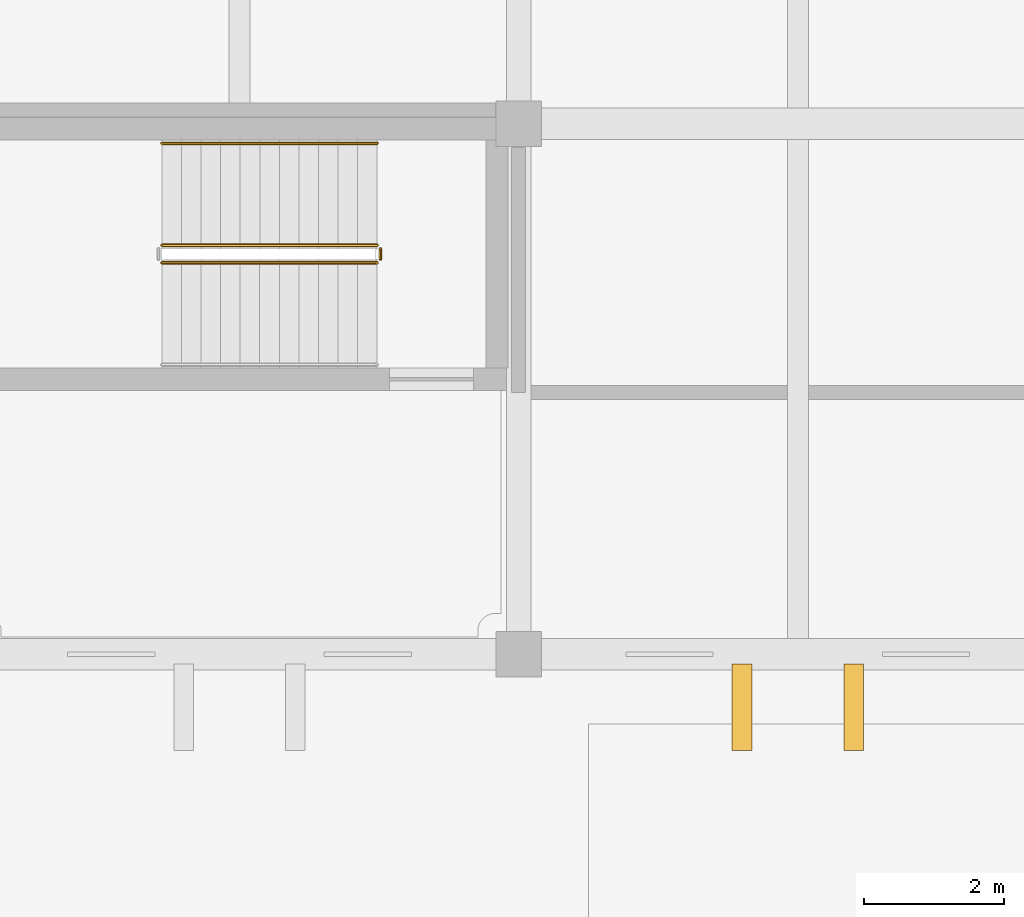
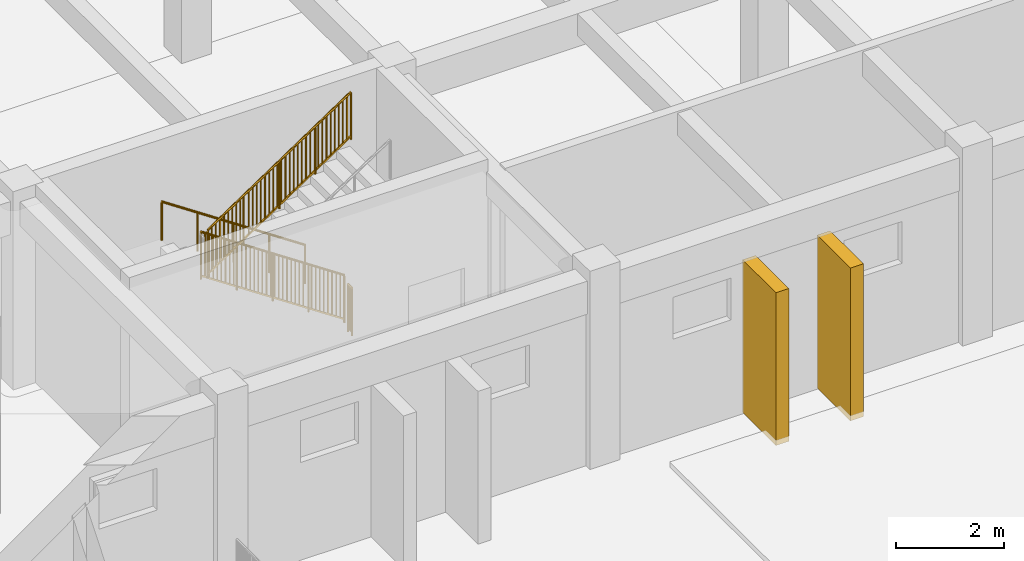
# One storey, part 77 of 79: 4 railings, 2 shading devices.
"""IFC4 building model written with IfcOpenShell, lengths in metres."""

from ifc_helpers import new_model, si_unit, direction, frame, origin, origin_2d, place, context, subcontext, project, spatial, rectangle, circle, extrude, material, type_object, element, save


model = new_model("IFC4")

# Units and contexts
model_context = context("Model", 3, precision=1e-05, world=origin(), true_north=direction((0.0, 1.0)))
body_context = subcontext(model_context, "Body", "Model", "MODEL_VIEW")
ifc_project = project(units=[si_unit("LENGTHUNIT", "METRE"), si_unit("AREAUNIT", "SQUARE_METRE"), si_unit("VOLUMEUNIT", "CUBIC_METRE"), si_unit("PLANEANGLEUNIT", "RADIAN"), si_unit("MASSUNIT", "GRAM", prefix="KILO")], contexts=[model_context])

# Site, building, storey
site_placement = place(None, origin())
site = spatial("IfcSite", under=ifc_project, at=site_placement, CompositionType="ELEMENT")
building_placement = place(site_placement, origin())
building = spatial("IfcBuilding", under=site, at=building_placement, Name="Zantavel Square City Hall", CompositionType="ELEMENT")
storey_placement = place(building_placement, frame((0.0, 0.0, 10.199951171875)))
storey = spatial("IfcBuildingStorey", under=building, at=storey_placement, Name="L03", CompositionType="ELEMENT", Elevation=10.199951171875)

# Railings
ifc_material_1 = material(Name="Steel ASTM A500 Grade B", Category="steel")
railing_type_1 = type_object("IfcRailingType", Name="Atrium & Gallery Steel Guard Railing 1100mm", PredefinedType="GUARDRAIL", material=ifc_material_1)
railing_1_placement = place(storey_placement, frame((117.969970703125, 81.860107421875, 0.1875)))
element("IfcRailing", 1, at=railing_1_placement, inside=storey, type_object=railing_type_1, Name="L03 ST2 stair guard 1", PredefinedType="GUARDRAIL", context=body_context, shape_type="SweptSolid", body=[
    extrude(circle(Radius=0.02392578125, at=origin_2d()), frame((0.0, 0.0, 1.076171875), z_axis=(-0.830913701846, 0.0, 0.55640131208), x_axis=(0.0, -1.0, 0.0)), (0.0, 0.0, 1.0), 3.706787109375),
    extrude(rectangle(XDim=0.031982421875, YDim=0.031982421875, at=origin_2d()), frame((0.0, 0.0, 0.080078125), z_axis=(-0.830913701846, 0.0, 0.55640131208), x_axis=(0.0, -1.0, 0.0)), (0.0, 0.0, 1.0), 3.706787109375),
    extrude(rectangle(XDim=0.02197265625, YDim=0.02197265625, at=origin_2d()), frame((-0.087890625, 0.0, 0.138916015625)), (0.0, 0.0, 1.0), 0.971923828125),
    extrude(rectangle(XDim=0.02197265625, YDim=0.02197265625, at=origin_2d()), frame((-0.176025390625, 0.0, 0.19775390625)), (0.0, 0.0, 1.0), 0.971923828125),
    extrude(rectangle(XDim=0.02197265625, YDim=0.02197265625, at=origin_2d()), frame((-0.263916015625, 0.0, 0.2568359375)), (0.0, 0.0, 1.0), 0.971923828125),
    extrude(rectangle(XDim=0.02197265625, YDim=0.02197265625, at=origin_2d()), frame((-0.35205078125, 0.0, 0.315673828125)), (0.0, 0.0, 1.0), 0.971923828125),
    extrude(rectangle(XDim=0.02197265625, YDim=0.02197265625, at=origin_2d()), frame((-0.43994140625, 0.0, 0.374755859375)), (0.0, 0.0, 1.0), 0.971923828125),
    extrude(rectangle(XDim=0.02197265625, YDim=0.02197265625, at=origin_2d()), frame((-0.528076171875, 0.0, 0.43359375)), (0.0, 0.0, 1.0), 0.971923828125),
    extrude(rectangle(XDim=0.02197265625, YDim=0.02197265625, at=origin_2d()), frame((-0.615966796875, 0.0, 0.492431640625)), (0.0, 0.0, 1.0), 0.971923828125),
    extrude(rectangle(XDim=0.02197265625, YDim=0.02197265625, at=origin_2d()), frame((-0.7041015625, 0.0, 0.551513671875)), (0.0, 0.0, 1.0), 0.971923828125),
    extrude(rectangle(XDim=0.02197265625, YDim=0.02197265625, at=origin_2d()), frame((-0.880126953125, 0.0, 0.669189453125)), (0.0, 0.0, 1.0), 0.971923828125),
    extrude(rectangle(XDim=0.02197265625, YDim=0.02197265625, at=origin_2d()), frame((-0.968017578125, 0.0, 0.728271484375)), (0.0, 0.0, 1.0), 0.971923828125),
    extrude(rectangle(XDim=0.02197265625, YDim=0.02197265625, at=origin_2d()), frame((-1.055908203125, 0.0, 0.787109375)), (0.0, 0.0, 1.0), 0.971923828125),
    extrude(rectangle(XDim=0.02197265625, YDim=0.02197265625, at=origin_2d()), frame((-1.14404296875, 0.0, 0.84619140625)), (0.0, 0.0, 1.0), 0.971923828125),
    extrude(rectangle(XDim=0.02197265625, YDim=0.02197265625, at=origin_2d()), frame((-1.23193359375, 0.0, 0.905029296875)), (0.0, 0.0, 1.0), 0.971923828125),
    extrude(rectangle(XDim=0.02197265625, YDim=0.02197265625, at=origin_2d()), frame((-1.320068359375, 0.0, 0.9638671875)), (0.0, 0.0, 1.0), 0.971923828125),
    extrude(rectangle(XDim=0.02197265625, YDim=0.02197265625, at=origin_2d()), frame((-1.407958984375, 0.0, 1.02294921875)), (0.0, 0.0, 1.0), 0.971923828125),
    extrude(rectangle(XDim=0.02197265625, YDim=0.02197265625, at=origin_2d()), frame((-1.49609375, 0.0, 1.081787109375)), (0.0, 0.0, 1.0), 0.971923828125),
    extrude(rectangle(XDim=0.02197265625, YDim=0.02197265625, at=origin_2d()), frame((-1.583984375, 0.0, 1.140625)), (0.0, 0.0, 1.0), 0.971923828125),
    extrude(rectangle(XDim=0.02197265625, YDim=0.02197265625, at=origin_2d()), frame((-1.672119140625, 0.0, 1.19970703125)), (0.0, 0.0, 1.0), 0.971923828125),
    extrude(rectangle(XDim=0.02197265625, YDim=0.02197265625, at=origin_2d()), frame((-1.760009765625, 0.0, 1.258544921875)), (0.0, 0.0, 1.0), 0.971923828125),
    extrude(rectangle(XDim=0.02197265625, YDim=0.02197265625, at=origin_2d()), frame((-1.84814453125, 0.0, 1.3173828125)), (0.0, 0.0, 1.0), 0.971923828125),
    extrude(rectangle(XDim=0.02197265625, YDim=0.02197265625, at=origin_2d()), frame((-1.93603515625, 0.0, 1.37646484375)), (0.0, 0.0, 1.0), 0.971923828125),
    extrude(rectangle(XDim=0.02197265625, YDim=0.02197265625, at=origin_2d()), frame((-2.024169921875, 0.0, 1.435302734375)), (0.0, 0.0, 1.0), 0.971923828125),
    extrude(rectangle(XDim=0.02197265625, YDim=0.02197265625, at=origin_2d()), frame((-2.112060546875, 0.0, 1.494384765625)), (0.0, 0.0, 1.0), 0.971923828125),
    extrude(rectangle(XDim=0.02197265625, YDim=0.02197265625, at=origin_2d()), frame((-2.199951171875, 0.0, 1.55322265625)), (0.0, 0.0, 1.0), 0.971923828125),
    extrude(rectangle(XDim=0.02197265625, YDim=0.02197265625, at=origin_2d()), frame((-2.3759765625, 0.0, 1.671142578125)), (0.0, 0.0, 1.0), 0.971923828125),
    extrude(rectangle(XDim=0.02197265625, YDim=0.02197265625, at=origin_2d()), frame((-2.464111328125, 0.0, 1.72998046875)), (0.0, 0.0, 1.0), 0.971923828125),
    extrude(rectangle(XDim=0.02197265625, YDim=0.02197265625, at=origin_2d()), frame((-2.552001953125, 0.0, 1.788818359375)), (0.0, 0.0, 1.0), 0.971923828125),
    extrude(rectangle(XDim=0.02197265625, YDim=0.02197265625, at=origin_2d()), frame((-2.64013671875, 0.0, 1.847900390625)), (0.0, 0.0, 1.0), 0.971923828125),
    extrude(rectangle(XDim=0.02197265625, YDim=0.02197265625, at=origin_2d()), frame((-2.72802734375, 0.0, 1.90673828125)), (0.0, 0.0, 1.0), 0.971923828125),
    extrude(rectangle(XDim=0.02197265625, YDim=0.02197265625, at=origin_2d()), frame((-2.816162109375, 0.0, 1.9658203125)), (0.0, 0.0, 1.0), 0.971923828125),
    extrude(rectangle(XDim=0.02197265625, YDim=0.02197265625, at=origin_2d()), frame((-2.904052734375, 0.0, 2.024658203125)), (0.0, 0.0, 1.0), 0.971923828125),
    extrude(rectangle(XDim=0.02197265625, YDim=0.02197265625, at=origin_2d()), frame((-2.9921875, 0.0, 2.08349609375)), (0.0, 0.0, 1.0), 0.971923828125),
    extrude(circle(Radius=0.02099609375, at=origin_2d()), origin(), (0.0, 0.0, 1.0), 1.052001953125),
    extrude(circle(Radius=0.02099609375, at=origin_2d()), frame((-0.77001953125, 0.0, 0.515625)), (0.0, 0.0, 1.0), 1.052001953125),
    extrude(circle(Radius=0.02099609375, at=origin_2d()), frame((-1.5400390625, 0.0, 1.03125)), (0.0, 0.0, 1.0), 1.052001953125),
    extrude(circle(Radius=0.02099609375, at=origin_2d()), frame((-2.31005859375, 0.0, 1.546875)), (0.0, 0.0, 1.0), 1.052001953125),
    extrude(circle(Radius=0.02099609375, at=origin_2d()), frame((-3.080078125, 0.0, 2.0625)), (0.0, 0.0, 1.0), 1.052001953125),
])
railing_2_placement = place(storey_placement, frame((114.889892578125, 81.610107421875, 2.4375)))
element("IfcRailing", 2, at=railing_2_placement, inside=storey, type_object=railing_type_1, Name="L03 ST2 stair guard 3", PredefinedType="GUARDRAIL", context=body_context, shape_type="SweptSolid", body=[
    extrude(circle(Radius=0.02392578125, at=origin_2d()), frame((0.0, 0.0, 1.076171875), z_axis=(0.830913701846, 0.0, 0.55640131208), x_axis=(0.0, 1.0, 0.0)), (0.0, 0.0, 1.0), 3.706787109375),
    extrude(rectangle(XDim=0.031982421875, YDim=0.031982421875, at=origin_2d()), frame((0.0, 0.0, 0.080078125), z_axis=(0.830913701846, 0.0, 0.55640131208), x_axis=(0.0, 1.0, 0.0)), (0.0, 0.0, 1.0), 3.706787109375),
    extrude(rectangle(XDim=0.02197265625, YDim=0.02197265625, at=origin_2d()), frame((0.087890625, 0.0, 0.138916015625)), (0.0, 0.0, 1.0), 0.971923828125),
    extrude(rectangle(XDim=0.02197265625, YDim=0.02197265625, at=origin_2d()), frame((0.176025390625, 0.0, 0.19775390625)), (0.0, 0.0, 1.0), 0.971923828125),
    extrude(rectangle(XDim=0.02197265625, YDim=0.02197265625, at=origin_2d()), frame((0.263916015625, 0.0, 0.2568359375)), (0.0, 0.0, 1.0), 0.971923828125),
    extrude(rectangle(XDim=0.02197265625, YDim=0.02197265625, at=origin_2d()), frame((0.35205078125, 0.0, 0.315673828125)), (0.0, 0.0, 1.0), 0.971923828125),
    extrude(rectangle(XDim=0.02197265625, YDim=0.02197265625, at=origin_2d()), frame((0.43994140625, 0.0, 0.374755859375)), (0.0, 0.0, 1.0), 0.971923828125),
    extrude(rectangle(XDim=0.02197265625, YDim=0.02197265625, at=origin_2d()), frame((0.528076171875, 0.0, 0.43359375)), (0.0, 0.0, 1.0), 0.971923828125),
    extrude(rectangle(XDim=0.02197265625, YDim=0.02197265625, at=origin_2d()), frame((0.615966796875, 0.0, 0.492431640625)), (0.0, 0.0, 1.0), 0.971923828125),
    extrude(rectangle(XDim=0.02197265625, YDim=0.02197265625, at=origin_2d()), frame((0.7041015625, 0.0, 0.551513671875)), (0.0, 0.0, 1.0), 0.971923828125),
    extrude(rectangle(XDim=0.02197265625, YDim=0.02197265625, at=origin_2d()), frame((0.880126953125, 0.0, 0.669189453125)), (0.0, 0.0, 1.0), 0.971923828125),
    extrude(rectangle(XDim=0.02197265625, YDim=0.02197265625, at=origin_2d()), frame((0.968017578125, 0.0, 0.728271484375)), (0.0, 0.0, 1.0), 0.971923828125),
    extrude(rectangle(XDim=0.02197265625, YDim=0.02197265625, at=origin_2d()), frame((1.055908203125, 0.0, 0.787109375)), (0.0, 0.0, 1.0), 0.971923828125),
    extrude(rectangle(XDim=0.02197265625, YDim=0.02197265625, at=origin_2d()), frame((1.14404296875, 0.0, 0.84619140625)), (0.0, 0.0, 1.0), 0.971923828125),
    extrude(rectangle(XDim=0.02197265625, YDim=0.02197265625, at=origin_2d()), frame((1.23193359375, 0.0, 0.905029296875)), (0.0, 0.0, 1.0), 0.971923828125),
    extrude(rectangle(XDim=0.02197265625, YDim=0.02197265625, at=origin_2d()), frame((1.320068359375, 0.0, 0.9638671875)), (0.0, 0.0, 1.0), 0.971923828125),
    extrude(rectangle(XDim=0.02197265625, YDim=0.02197265625, at=origin_2d()), frame((1.407958984375, 0.0, 1.02294921875)), (0.0, 0.0, 1.0), 0.971923828125),
    extrude(rectangle(XDim=0.02197265625, YDim=0.02197265625, at=origin_2d()), frame((1.49609375, 0.0, 1.081787109375)), (0.0, 0.0, 1.0), 0.971923828125),
    extrude(rectangle(XDim=0.02197265625, YDim=0.02197265625, at=origin_2d()), frame((1.583984375, 0.0, 1.140625)), (0.0, 0.0, 1.0), 0.971923828125),
    extrude(rectangle(XDim=0.02197265625, YDim=0.02197265625, at=origin_2d()), frame((1.672119140625, 0.0, 1.19970703125)), (0.0, 0.0, 1.0), 0.971923828125),
    extrude(rectangle(XDim=0.02197265625, YDim=0.02197265625, at=origin_2d()), frame((1.760009765625, 0.0, 1.258544921875)), (0.0, 0.0, 1.0), 0.971923828125),
    extrude(rectangle(XDim=0.02197265625, YDim=0.02197265625, at=origin_2d()), frame((1.84814453125, 0.0, 1.3173828125)), (0.0, 0.0, 1.0), 0.971923828125),
    extrude(rectangle(XDim=0.02197265625, YDim=0.02197265625, at=origin_2d()), frame((1.93603515625, 0.0, 1.37646484375)), (0.0, 0.0, 1.0), 0.971923828125),
    extrude(rectangle(XDim=0.02197265625, YDim=0.02197265625, at=origin_2d()), frame((2.024169921875, 0.0, 1.435302734375)), (0.0, 0.0, 1.0), 0.971923828125),
    extrude(rectangle(XDim=0.02197265625, YDim=0.02197265625, at=origin_2d()), frame((2.112060546875, 0.0, 1.494384765625)), (0.0, 0.0, 1.0), 0.971923828125),
    extrude(rectangle(XDim=0.02197265625, YDim=0.02197265625, at=origin_2d()), frame((2.199951171875, 0.0, 1.55322265625)), (0.0, 0.0, 1.0), 0.971923828125),
    extrude(rectangle(XDim=0.02197265625, YDim=0.02197265625, at=origin_2d()), frame((2.3759765625, 0.0, 1.671142578125)), (0.0, 0.0, 1.0), 0.971923828125),
    extrude(rectangle(XDim=0.02197265625, YDim=0.02197265625, at=origin_2d()), frame((2.464111328125, 0.0, 1.72998046875)), (0.0, 0.0, 1.0), 0.971923828125),
    extrude(rectangle(XDim=0.02197265625, YDim=0.02197265625, at=origin_2d()), frame((2.552001953125, 0.0, 1.788818359375)), (0.0, 0.0, 1.0), 0.971923828125),
    extrude(rectangle(XDim=0.02197265625, YDim=0.02197265625, at=origin_2d()), frame((2.64013671875, 0.0, 1.847900390625)), (0.0, 0.0, 1.0), 0.971923828125),
    extrude(rectangle(XDim=0.02197265625, YDim=0.02197265625, at=origin_2d()), frame((2.72802734375, 0.0, 1.90673828125)), (0.0, 0.0, 1.0), 0.971923828125),
    extrude(rectangle(XDim=0.02197265625, YDim=0.02197265625, at=origin_2d()), frame((2.816162109375, 0.0, 1.9658203125)), (0.0, 0.0, 1.0), 0.971923828125),
    extrude(rectangle(XDim=0.02197265625, YDim=0.02197265625, at=origin_2d()), frame((2.904052734375, 0.0, 2.024658203125)), (0.0, 0.0, 1.0), 0.971923828125),
    extrude(rectangle(XDim=0.02197265625, YDim=0.02197265625, at=origin_2d()), frame((2.9921875, 0.0, 2.08349609375)), (0.0, 0.0, 1.0), 0.971923828125),
    extrude(circle(Radius=0.02099609375, at=origin_2d()), origin(), (0.0, 0.0, 1.0), 1.052001953125),
    extrude(circle(Radius=0.02099609375, at=origin_2d()), frame((0.77001953125, 0.0, 0.515625)), (0.0, 0.0, 1.0), 1.052001953125),
    extrude(circle(Radius=0.02099609375, at=origin_2d()), frame((1.5400390625, 0.0, 1.03125)), (0.0, 0.0, 1.0), 1.052001953125),
    extrude(circle(Radius=0.02099609375, at=origin_2d()), frame((2.31005859375, 0.0, 1.546875)), (0.0, 0.0, 1.0), 1.052001953125),
    extrude(circle(Radius=0.02099609375, at=origin_2d()), frame((3.080078125, 0.0, 2.0625)), (0.0, 0.0, 1.0), 1.052001953125),
])
railing_3_placement = place(storey_placement, frame((118.02001953125, 81.81005859375, 0.0)))
element("IfcRailing", 3, at=railing_3_placement, inside=storey, type_object=railing_type_1, Name="L03 ST2 stair guard 4", PredefinedType="GUARDRAIL", context=body_context, shape_type="SweptSolid", body=[
    extrude(circle(Radius=0.02392578125, at=origin_2d()), frame((0.0, 0.0, 1.076171875), z_axis=(0.0, -1.0, 0.0), x_axis=(1.0, 0.0, 0.0)), (0.0, 0.0, 1.0), 0.150146484375),
    extrude(rectangle(XDim=0.031982421875, YDim=0.031982421875, at=origin_2d()), frame((0.0, 0.0, 0.080078125), z_axis=(0.0, -1.0, 0.0), x_axis=(1.0, 0.0, 0.0)), (0.0, 0.0, 1.0), 0.150146484375),
    extrude(rectangle(XDim=0.02197265625, YDim=0.02197265625, at=origin_2d()), frame((0.0, -0.0751953125, 0.080078125)), (0.0, 0.0, 1.0), 0.971923828125),
    extrude(circle(Radius=0.02099609375, at=origin_2d()), origin(), (0.0, 0.0, 1.0), 1.052001953125),
    extrude(circle(Radius=0.02099609375, at=origin_2d()), frame((0.0, -0.150146484375, 0.0)), (0.0, 0.0, 1.0), 1.052001953125),
])

# Shading devices
ifc_material_2 = material(Name="Cantera volcanic tuff stone", Category="masonry")
shading_device_type = type_object("IfcShadingDeviceType", Name="Cantera Vertical Solar Shading Pier 280x1240", PredefinedType="USERDEFINED", material=ifc_material_2)
for number, where, z_axis, x_axis, name in (
    (4, (124.800048828125, 75.239990234375, 0.0), (0.0, 0.0, 1.0), (1.0, 0.0, 0.0), "L03 Cantera Solar Pier 035"),
    (5, (123.199951171875, 75.239990234375, 0.0), (0.0, 0.0, 1.0), (1.0, 0.0, 0.0), "L03 Cantera Solar Pier 036"),
):
    element("IfcShadingDevice", number, at=place(storey_placement, frame(where, z_axis=z_axis, x_axis=x_axis)), inside=storey, type_object=shading_device_type, Name=name, ObjectType="FIN", PredefinedType="USERDEFINED", context=body_context, shape_type="SweptSolid", body=[
        extrude(rectangle(XDim=0.280029296875, YDim=1.239990234375, at=origin_2d()), origin(), (0.0, 0.0, 1.0), 3.469970703125),
    ])

# Railing
ifc_material_3 = material(Name="Stainless steel 316", Category="steel")
railing_type_2 = type_object("IfcRailingType", Name="Stair Stainless Steel Handrail 900mm", PredefinedType="HANDRAIL", material=ifc_material_3)
railing_4_placement = place(storey_placement, frame((117.969970703125, 83.320068359375, 0.1875)))
element("IfcRailing", 6, at=railing_4_placement, inside=storey, type_object=railing_type_2, Name="L03 ST2 stair handrail 1", PredefinedType="HANDRAIL", context=body_context, shape_type="SweptSolid", body=[
    extrude(circle(Radius=0.02392578125, at=origin_2d()), frame((0.0, 0.0, 0.8759765625), z_axis=(-0.830913701846, 0.0, 0.55640131208), x_axis=(0.0, -1.0, 0.0)), (0.0, 0.0, 1.0), 3.706787109375),
    extrude(circle(Radius=0.02099609375, at=origin_2d()), origin(), (0.0, 0.0, 1.0), 0.851806640625),
    extrude(circle(Radius=0.02099609375, at=origin_2d()), frame((-0.77001953125, 0.0, 0.515625)), (0.0, 0.0, 1.0), 0.851806640625),
    extrude(circle(Radius=0.02099609375, at=origin_2d()), frame((-1.5400390625, 0.0, 1.03125)), (0.0, 0.0, 1.0), 0.851806640625),
    extrude(circle(Radius=0.02099609375, at=origin_2d()), frame((-2.31005859375, 0.0, 1.546875)), (0.0, 0.0, 1.0), 0.851806640625),
    extrude(circle(Radius=0.02099609375, at=origin_2d()), frame((-3.080078125, 0.0, 2.0625)), (0.0, 0.0, 1.0), 0.851806640625),
])

save(model, "model.ifc")
